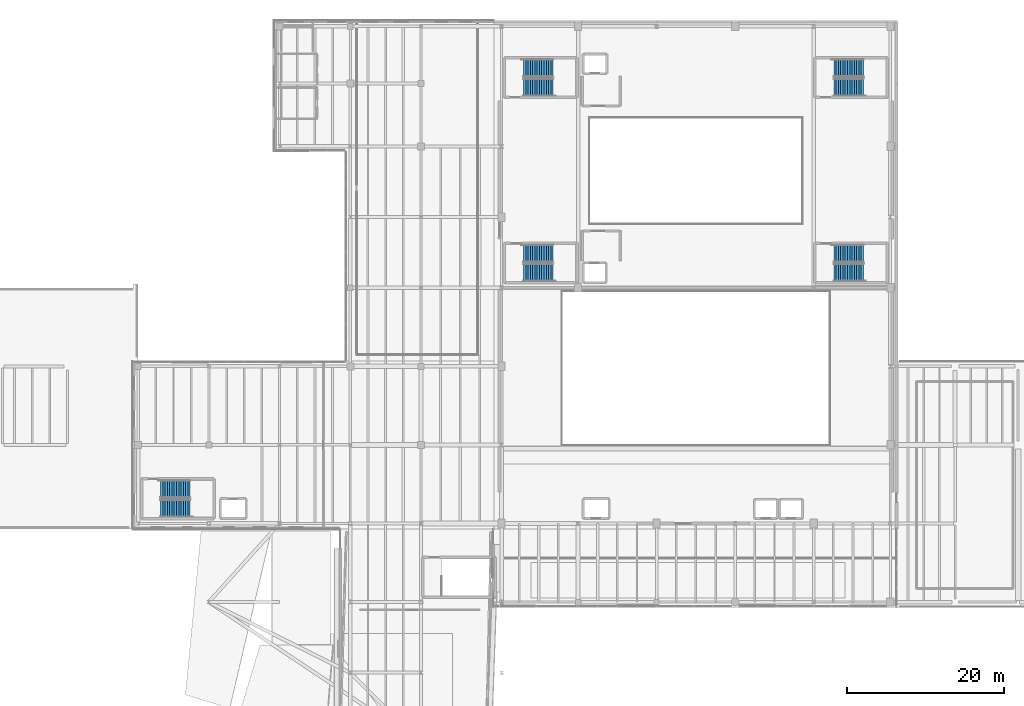
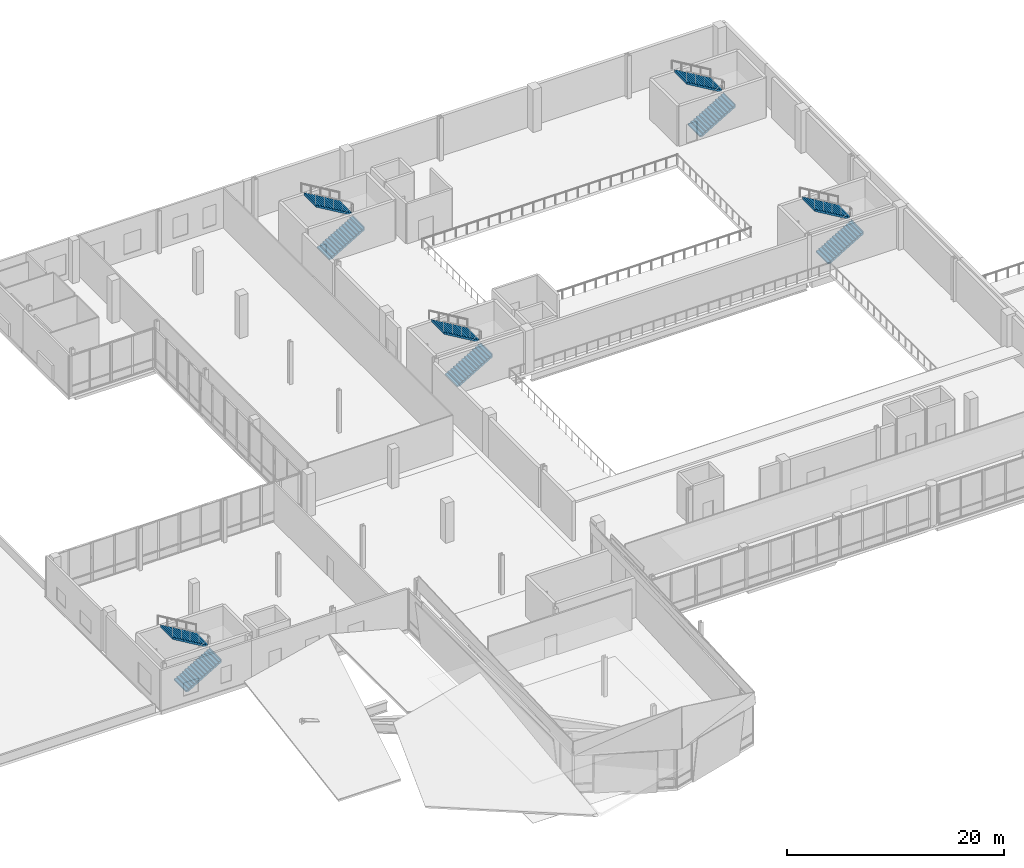
# One storey, part 33 of 41: 10 stair flights, 5 elements without a shape of their own.
"""IFC4 building model written with IfcOpenShell, lengths in metres."""

import ifcopenshell
import ifcopenshell.guid

model = None  # the IFC model being written
_history = None  # IfcOwnerHistory: only IFC2X3 demands one
_inside = {}  # id of a spatial element -> (the spatial element, [elements in it])
_under = {}  # id of a project, library or spatial element -> (it, [spatial elements below it])
_declared = {}  # id of a project -> (the project, [libraries it declares])
_typed = {}  # id of a type object -> (the type object, [elements of that type])
_made_of = {}  # id of a material, layer set ... -> (it, [elements and type objects made of it])


def new_model(schema):
    """Start an empty IFC model of exactly this schema.

    Asked for "IFC4X3", IfcOpenShell would pick the latest addendum, in which some entities
    have other attributes; the version numbers below select the first issue.
    IFC2X3 requires an IfcOwnerHistory on every rooted entity: one is made here for all.
    """
    global model, _history
    if schema == "IFC4X3":
        model = ifcopenshell.file(schema_version=(4, 3, 0, 0))
    else:
        model = ifcopenshell.file(schema=schema)
    _inside.clear()
    _under.clear()
    _declared.clear()
    _typed.clear()
    _made_of.clear()
    _history = None
    if model.schema == "IFC2X3":
        org = make("IfcOrganization", Name="unknown")
        user = make(
            "IfcPersonAndOrganization",
            ThePerson=make("IfcPerson", FamilyName="unknown"),
            TheOrganization=org,
        )
        app = make(
            "IfcApplication",
            ApplicationDeveloper=org,
            Version="unknown",
            ApplicationFullName="unknown",
            ApplicationIdentifier="unknown",
        )
        _history = make(
            "IfcOwnerHistory",
            OwningUser=user,
            OwningApplication=app,
            ChangeAction="ADDED",
            CreationDate=0,
        )
    return model


def make(cls, **values):
    """One entity of the class cls with the attributes given. An attribute that is None is left unset."""
    return model.create_entity(
        cls, **{name: value for name, value in values.items() if value is not None}
    )


def rooted(cls, **values):
    """An entity with a GlobalId (a new one), such as an element, a storey or a relation."""
    return make(cls, GlobalId=ifcopenshell.guid.new(), OwnerHistory=_history, **values)


def si_unit(unit_type, name, prefix=None):
    """IfcSIUnit, for example si_unit("LENGTHUNIT", "METRE", prefix="MILLI")."""
    return make("IfcSIUnit", UnitType=unit_type, Prefix=prefix, Name=name)


def assignment(units):
    """IfcUnitAssignment: the units of a project."""
    return None if units is None else make("IfcUnitAssignment", Units=units)


def point(xyz):
    """IfcCartesianPoint."""
    return None if xyz is None else make("IfcCartesianPoint", Coordinates=xyz)


def direction(xyz):
    """IfcDirection."""
    return None if xyz is None else make("IfcDirection", DirectionRatios=xyz)


def frame(location, z_axis=None, x_axis=None):
    """IfcAxis2Placement3D, a coordinate frame: its origin and axes. An axis left out is left unset."""
    return make(
        "IfcAxis2Placement3D",
        Location=point(location),
        Axis=direction(z_axis),
        RefDirection=direction(x_axis),
    )


def origin():
    """The frame at (0, 0, 0) with its axes left unset."""
    return frame((0.0, 0.0, 0.0))


def place(relative_to, where):
    """IfcLocalPlacement: puts the frame where relative to a parent placement (None: the world)."""
    return make(
        "IfcLocalPlacement", PlacementRelTo=relative_to, RelativePlacement=where
    )


def context(
    kind, dimensions, precision=None, world=None, true_north=None, identifier=None
):
    """IfcGeometricRepresentationContext, for example the 3D "Model" context."""
    return make(
        "IfcGeometricRepresentationContext",
        ContextIdentifier=identifier,
        ContextType=kind,
        CoordinateSpaceDimension=dimensions,
        Precision=precision,
        WorldCoordinateSystem=world,
        TrueNorth=true_north,
    )


def subcontext(parent, identifier, kind, view, scale=None):
    """IfcGeometricRepresentationSubContext, for example "Body" below "Model"."""
    return make(
        "IfcGeometricRepresentationSubContext",
        ContextIdentifier=identifier,
        ContextType=kind,
        ParentContext=parent,
        TargetScale=scale,
        TargetView=view,
    )


def project(units=None, contexts=None):
    """IfcProject with its units and contexts."""
    return rooted(
        "IfcProject",
        Name="project",
        RepresentationContexts=contexts,
        UnitsInContext=assignment(units),
    )


def spatial(cls, under=None, at=None, **own):
    """A site, building, storey or space (cls), placed at a placement, below another one or the project."""
    s = rooted(cls, ObjectPlacement=at, **own)
    if under is not None:
        _under.setdefault(under.id(), (under, []))[1].append(s)
    return s


def polyline(points):
    """IfcPolyline through the points."""
    return make("IfcPolyline", Points=[point(p) for p in points])


def outline(outer, holes=None, kind="AREA"):
    """IfcArbitraryClosedProfileDef: a profile drawn as a closed curve; with holes, ...WithVoids."""
    if holes is None:
        return make("IfcArbitraryClosedProfileDef", ProfileType=kind, OuterCurve=outer)
    return make(
        "IfcArbitraryProfileDefWithVoids",
        ProfileType=kind,
        OuterCurve=outer,
        InnerCurves=holes,
    )


def extrude(swept, where, along, depth):
    """IfcExtrudedAreaSolid: the profile swept, set in the frame where, extruded along a direction by depth."""
    return make(
        "IfcExtrudedAreaSolid",
        SweptArea=swept,
        Position=where,
        ExtrudedDirection=direction(along),
        Depth=depth,
    )


def shape(context_of_items, identifier, shape_type, items):
    """IfcShapeRepresentation: the items that make up one representation, for example the "Body"."""
    return make(
        "IfcShapeRepresentation",
        ContextOfItems=context_of_items,
        RepresentationIdentifier=identifier,
        RepresentationType=shape_type,
        Items=items,
    )


def material(Name=None, Category=None):
    """IfcMaterial."""
    return make("IfcMaterial", Name=Name, Category=Category)


def made_of(thing, what):
    """Note that an element or type object is made of a material, layer set ...; save() writes the relation."""
    if what is not None:
        _made_of.setdefault(what.id(), (what, []))[1].append(thing)
    return thing


def type_object(cls, material=None, **own):
    """A type object (cls), such as IfcWallType, which elements share."""
    return made_of(rooted(cls, **own), material)


def element(
    cls,
    number,
    at=None,
    inside=None,
    cuts=None,
    type_object=None,
    material=None,
    context=None,
    identifier="Body",
    shape_type=None,
    held_by="IfcProductDefinitionShape",
    body=None,
    shapes=None,
    **own,
):
    """One element of the class cls, such as IfcWall. Its Tag is "e" and its number.

    at: its placement. inside: the storey or other place that contains it. cuts: it is an
    opening in that element (IfcRelVoidsElement). A single representation is given by context,
    identifier, shape_type and body (its items); several are given by shapes. held_by: the class
    of the entity that holds the representations. save() writes the other relations.
    """
    e = rooted(cls, Tag="e%d" % number, ObjectPlacement=at, **own)
    if body is not None:
        shapes = [shape(context, identifier, shape_type, body)]
    if shapes is not None:
        e.Representation = make(held_by, Representations=shapes)
    if inside is not None:
        _inside.setdefault(inside.id(), (inside, []))[1].append(e)
    if cuts is not None:
        rooted(
            "IfcRelVoidsElement", RelatingBuildingElement=cuts, RelatedOpeningElement=e
        )
    if type_object is not None:
        _typed.setdefault(type_object.id(), (type_object, []))[1].append(e)
    return made_of(e, material)


def aggregate(whole, parts):
    """IfcRelAggregates: a whole, such as a stair, and the parts it consists of."""
    return rooted("IfcRelAggregates", RelatingObject=whole, RelatedObjects=parts)


def save(model, path):
    """Write the relations noted so far, then the file.

    IfcRelAggregates (storeys below a building ...), IfcRelContainedInSpatialStructure (elements
    in a storey), IfcRelDefinesByType, IfcRelAssociatesMaterial and IfcRelDeclares: one each for
    every whole, place, type object, material and project.
    """
    for whole, parts in _under.values():
        aggregate(whole, parts)
    for where, things in _inside.values():
        rooted(
            "IfcRelContainedInSpatialStructure",
            RelatedElements=things,
            RelatingStructure=where,
        )
    for kind, things in _typed.values():
        rooted("IfcRelDefinesByType", RelatedObjects=things, RelatingType=kind)
    for what, things in _made_of.values():
        rooted("IfcRelAssociatesMaterial", RelatedObjects=things, RelatingMaterial=what)
    for by, libraries in _declared.values():
        rooted("IfcRelDeclares", RelatingContext=by, RelatedDefinitions=libraries)
    model.write(path)


model = new_model("IFC4")

# Units and contexts
model_context = context("Model", 3, precision=1e-05, world=origin(), true_north=direction((0.0, 1.0)))
body_context = subcontext(model_context, "Body", "Model", "MODEL_VIEW")
ifc_project = project(units=[si_unit("LENGTHUNIT", "METRE"), si_unit("AREAUNIT", "SQUARE_METRE"), si_unit("VOLUMEUNIT", "CUBIC_METRE"), si_unit("PLANEANGLEUNIT", "RADIAN"), si_unit("MASSUNIT", "GRAM", prefix="KILO")], contexts=[model_context])

# Site, building, storey
site_placement = place(None, origin())
site = spatial("IfcSite", under=ifc_project, at=site_placement, CompositionType="ELEMENT")
building_placement = place(site_placement, origin())
building = spatial("IfcBuilding", under=site, at=building_placement, Name="Trimount Lyric Opera House", CompositionType="ELEMENT")
storey_placement = place(building_placement, frame((0.0, 0.0, 20.0)))
storey = spatial("IfcBuildingStorey", under=building, at=storey_placement, Name="L04", CompositionType="ELEMENT", Elevation=20.0)

# Stair, stair flights
ifc_material_1 = material(Name="Concrete C40/50", Category="concrete")
stair_type = type_object("IfcStairType", Name="STR-CORE-B", PredefinedType="TWO_QUARTER_TURN_STAIR", material=ifc_material_1)
stair_1_placement = place(storey_placement, origin())
stair_1 = element("IfcStair", 1, at=stair_1_placement, inside=storey, type_object=stair_type, Name="L04 Exit Stair ST-01", PredefinedType="TWO_QUARTER_TURN_STAIR")
ifc_material_2 = material(Name="Concrete C40/50", Category="concrete")
stair_flight_type = type_object("IfcStairFlightType", Name="SFL-CORE-A", PredefinedType="STRAIGHT", material=ifc_material_2)
stair_flight_1_placement = place(storey_placement, frame((67.050048828125, 109.52490234375, 0.0), z_axis=(0.0, 0.0, 1.0), x_axis=(1.0, 0.0, 0.0)))
stair_flight_1 = element("IfcStairFlight", 2, at=stair_flight_1_placement, type_object=stair_flight_type, Name="ST-01 flight 1", NumberOfRisers=14, NumberOfTreads=13, PredefinedType="STRAIGHT", RiserHeight=0.171428571, TreadLength=0.29, context=body_context, shape_type="SweptSolid", body=[
    extrude(outline(polyline([(0.0, 0.0), (0.0, 0.17138671875), (0.2900390625, 0.17138671875), (0.2900390625, 0.3427734375), (0.580078125, 0.3427734375), (0.580078125, 0.514404296875), (0.8701171875, 0.514404296875), (0.8701171875, 0.685791015625), (1.159912109375, 0.685791015625), (1.159912109375, 0.857177734375), (1.449951171875, 0.857177734375), (1.449951171875, 1.028564453125), (1.739990234375, 1.028564453125), (1.739990234375, 1.199951171875), (2.030029296875, 1.199951171875), (2.030029296875, 1.371337890625), (2.320068359375, 1.371337890625), (2.320068359375, 1.54296875), (2.610107421875, 1.54296875), (2.610107421875, 1.71435546875), (2.89990234375, 1.71435546875), (2.89990234375, 1.8857421875), (3.18994140625, 1.8857421875), (3.18994140625, 2.05712890625), (3.47998046875, 2.05712890625), (3.47998046875, 2.228515625), (3.75390625, 2.228515625), (3.77001953125, 2.39990234375), (3.77001953125, 2.054443359375), (0.294677734375, 0.0), (0.0, 0.0)])), frame((0.0, 1.125, 0.0), z_axis=(0.0, -1.0, 0.0), x_axis=(1.0, 0.0, 0.0)), (0.0, 0.0, 1.0), 2.25),
])
stair_flight_2_placement = place(storey_placement, frame((70.820068359375, 111.97509765625, 2.39990234375), z_axis=(0.0, 0.0, 1.0), x_axis=(-1.0, 0.0, 0.0)))
stair_flight_2 = element("IfcStairFlight", 3, at=stair_flight_2_placement, type_object=stair_flight_type, Name="ST-01 flight 2", NumberOfRisers=14, NumberOfTreads=13, PredefinedType="STRAIGHT", RiserHeight=0.171428571, TreadLength=0.29, context=body_context, shape_type="SweptSolid", body=[
    extrude(outline(polyline([(0.0, 0.0), (0.0, 0.17138671875), (0.2900390625, 0.17138671875), (0.2900390625, 0.3427734375), (0.580078125, 0.3427734375), (0.580078125, 0.514404296875), (0.8701171875, 0.514404296875), (0.8701171875, 0.685791015625), (1.159912109375, 0.685791015625), (1.159912109375, 0.857177734375), (1.449951171875, 0.857177734375), (1.449951171875, 1.028564453125), (1.739990234375, 1.028564453125), (1.739990234375, 1.199951171875), (2.030029296875, 1.199951171875), (2.030029296875, 1.371337890625), (2.320068359375, 1.371337890625), (2.320068359375, 1.54296875), (2.610107421875, 1.54296875), (2.610107421875, 1.71435546875), (2.89990234375, 1.71435546875), (2.89990234375, 1.8857421875), (3.18994140625, 1.8857421875), (3.18994140625, 2.05712890625), (3.47998046875, 2.05712890625), (3.47998046875, 2.228515625), (3.75390625, 2.228515625), (3.77001953125, 2.39990234375), (3.77001953125, 2.054443359375), (0.294677734375, 0.0), (0.0, 0.0)])), frame((0.0, 1.125, 0.0), z_axis=(0.0, -1.0, 0.0), x_axis=(1.0, 0.0, 0.0)), (0.0, 0.0, 1.0), 2.25),
])
aggregate(stair_1, [stair_flight_1, stair_flight_2])

stair_2_placement = place(storey_placement, origin())
stair_2 = element("IfcStair", 4, at=stair_2_placement, inside=storey, type_object=stair_type, Name="L04 Exit Stair ST-02", PredefinedType="TWO_QUARTER_TURN_STAIR")
stair_flight_3_placement = place(storey_placement, frame((106.550048828125, 109.52490234375, 0.0), z_axis=(0.0, 0.0, 1.0), x_axis=(1.0, 0.0, 0.0)))
stair_flight_3 = element("IfcStairFlight", 5, at=stair_flight_3_placement, type_object=stair_flight_type, Name="ST-02 flight 1", NumberOfRisers=14, NumberOfTreads=13, PredefinedType="STRAIGHT", RiserHeight=0.171428571, TreadLength=0.29, context=body_context, shape_type="SweptSolid", body=[
    extrude(outline(polyline([(0.0, 0.0), (0.0, 0.17138671875), (0.2900390625, 0.17138671875), (0.2900390625, 0.3427734375), (0.580078125, 0.3427734375), (0.580078125, 0.514404296875), (0.8701171875, 0.514404296875), (0.8701171875, 0.685791015625), (1.159912109375, 0.685791015625), (1.159912109375, 0.857177734375), (1.449951171875, 0.857177734375), (1.449951171875, 1.028564453125), (1.739990234375, 1.028564453125), (1.739990234375, 1.199951171875), (2.030029296875, 1.199951171875), (2.030029296875, 1.371337890625), (2.320068359375, 1.371337890625), (2.320068359375, 1.54296875), (2.610107421875, 1.54296875), (2.610107421875, 1.71435546875), (2.89990234375, 1.71435546875), (2.89990234375, 1.8857421875), (3.18994140625, 1.8857421875), (3.18994140625, 2.05712890625), (3.47998046875, 2.05712890625), (3.47998046875, 2.228515625), (3.75390625, 2.228515625), (3.77001953125, 2.39990234375), (3.77001953125, 2.054443359375), (0.294677734375, 0.0), (0.0, 0.0)])), frame((0.0, 1.125, 0.0), z_axis=(0.0, -1.0, 0.0), x_axis=(1.0, 0.0, 0.0)), (0.0, 0.0, 1.0), 2.25),
])
stair_flight_4_placement = place(storey_placement, frame((110.320068359375, 111.97509765625, 2.39990234375), z_axis=(0.0, 0.0, 1.0), x_axis=(-1.0, 0.0, 0.0)))
stair_flight_4 = element("IfcStairFlight", 6, at=stair_flight_4_placement, type_object=stair_flight_type, Name="ST-02 flight 2", NumberOfRisers=14, NumberOfTreads=13, PredefinedType="STRAIGHT", RiserHeight=0.171428571, TreadLength=0.29, context=body_context, shape_type="SweptSolid", body=[
    extrude(outline(polyline([(0.0, 0.0), (0.0, 0.17138671875), (0.2900390625, 0.17138671875), (0.2900390625, 0.3427734375), (0.580078125, 0.3427734375), (0.580078125, 0.514404296875), (0.8701171875, 0.514404296875), (0.8701171875, 0.685791015625), (1.159912109375, 0.685791015625), (1.159912109375, 0.857177734375), (1.449951171875, 0.857177734375), (1.449951171875, 1.028564453125), (1.739990234375, 1.028564453125), (1.739990234375, 1.199951171875), (2.030029296875, 1.199951171875), (2.030029296875, 1.371337890625), (2.320068359375, 1.371337890625), (2.320068359375, 1.54296875), (2.610107421875, 1.54296875), (2.610107421875, 1.71435546875), (2.89990234375, 1.71435546875), (2.89990234375, 1.8857421875), (3.18994140625, 1.8857421875), (3.18994140625, 2.05712890625), (3.47998046875, 2.05712890625), (3.47998046875, 2.228515625), (3.75390625, 2.228515625), (3.77001953125, 2.39990234375), (3.77001953125, 2.054443359375), (0.294677734375, 0.0), (0.0, 0.0)])), frame((0.0, 1.125, 0.0), z_axis=(0.0, -1.0, 0.0), x_axis=(1.0, 0.0, 0.0)), (0.0, 0.0, 1.0), 2.25),
])
aggregate(stair_2, [stair_flight_3, stair_flight_4])

stair_3_placement = place(storey_placement, origin())
stair_3 = element("IfcStair", 7, at=stair_3_placement, inside=storey, type_object=stair_type, Name="L04 Exit Stair ST-03", PredefinedType="TWO_QUARTER_TURN_STAIR")
stair_flight_5_placement = place(storey_placement, frame((67.050048828125, 85.925048828125, 0.0), z_axis=(0.0, 0.0, 1.0), x_axis=(1.0, 0.0, 0.0)))
stair_flight_5 = element("IfcStairFlight", 8, at=stair_flight_5_placement, type_object=stair_flight_type, Name="ST-03 flight 1", NumberOfRisers=14, NumberOfTreads=13, PredefinedType="STRAIGHT", RiserHeight=0.171428571, TreadLength=0.29, context=body_context, shape_type="SweptSolid", body=[
    extrude(outline(polyline([(0.0, 0.0), (0.0, 0.17138671875), (0.2900390625, 0.17138671875), (0.2900390625, 0.3427734375), (0.580078125, 0.3427734375), (0.580078125, 0.514404296875), (0.8701171875, 0.514404296875), (0.8701171875, 0.685791015625), (1.159912109375, 0.685791015625), (1.159912109375, 0.857177734375), (1.449951171875, 0.857177734375), (1.449951171875, 1.028564453125), (1.739990234375, 1.028564453125), (1.739990234375, 1.199951171875), (2.030029296875, 1.199951171875), (2.030029296875, 1.371337890625), (2.320068359375, 1.371337890625), (2.320068359375, 1.54296875), (2.610107421875, 1.54296875), (2.610107421875, 1.71435546875), (2.89990234375, 1.71435546875), (2.89990234375, 1.8857421875), (3.18994140625, 1.8857421875), (3.18994140625, 2.05712890625), (3.47998046875, 2.05712890625), (3.47998046875, 2.228515625), (3.75390625, 2.228515625), (3.77001953125, 2.39990234375), (3.77001953125, 2.054443359375), (0.294677734375, 0.0), (0.0, 0.0)])), frame((0.0, 1.125, 0.0), z_axis=(0.0, -1.0, 0.0), x_axis=(1.0, 0.0, 0.0)), (0.0, 0.0, 1.0), 2.25),
])
stair_flight_6_placement = place(storey_placement, frame((70.820068359375, 88.375, 2.39990234375), z_axis=(0.0, 0.0, 1.0), x_axis=(-1.0, 0.0, 0.0)))
stair_flight_6 = element("IfcStairFlight", 9, at=stair_flight_6_placement, type_object=stair_flight_type, Name="ST-03 flight 2", NumberOfRisers=14, NumberOfTreads=13, PredefinedType="STRAIGHT", RiserHeight=0.171428571, TreadLength=0.29, context=body_context, shape_type="SweptSolid", body=[
    extrude(outline(polyline([(0.0, 0.0), (0.0, 0.17138671875), (0.2900390625, 0.17138671875), (0.2900390625, 0.3427734375), (0.580078125, 0.3427734375), (0.580078125, 0.514404296875), (0.8701171875, 0.514404296875), (0.8701171875, 0.685791015625), (1.159912109375, 0.685791015625), (1.159912109375, 0.857177734375), (1.449951171875, 0.857177734375), (1.449951171875, 1.028564453125), (1.739990234375, 1.028564453125), (1.739990234375, 1.199951171875), (2.030029296875, 1.199951171875), (2.030029296875, 1.371337890625), (2.320068359375, 1.371337890625), (2.320068359375, 1.54296875), (2.610107421875, 1.54296875), (2.610107421875, 1.71435546875), (2.89990234375, 1.71435546875), (2.89990234375, 1.8857421875), (3.18994140625, 1.8857421875), (3.18994140625, 2.05712890625), (3.47998046875, 2.05712890625), (3.47998046875, 2.228515625), (3.75390625, 2.228515625), (3.77001953125, 2.39990234375), (3.77001953125, 2.054443359375), (0.294677734375, 0.0), (0.0, 0.0)])), frame((0.0, 1.125, 0.0), z_axis=(0.0, -1.0, 0.0), x_axis=(1.0, 0.0, 0.0)), (0.0, 0.0, 1.0), 2.25),
])
aggregate(stair_3, [stair_flight_5, stair_flight_6])

stair_4_placement = place(storey_placement, origin())
stair_4 = element("IfcStair", 10, at=stair_4_placement, inside=storey, type_object=stair_type, Name="L04 Exit Stair ST-04", PredefinedType="TWO_QUARTER_TURN_STAIR")
stair_flight_7_placement = place(storey_placement, frame((106.550048828125, 85.925048828125, 0.0), z_axis=(0.0, 0.0, 1.0), x_axis=(1.0, 0.0, 0.0)))
stair_flight_7 = element("IfcStairFlight", 11, at=stair_flight_7_placement, type_object=stair_flight_type, Name="ST-04 flight 1", NumberOfRisers=14, NumberOfTreads=13, PredefinedType="STRAIGHT", RiserHeight=0.171428571, TreadLength=0.29, context=body_context, shape_type="SweptSolid", body=[
    extrude(outline(polyline([(0.0, 0.0), (0.0, 0.17138671875), (0.2900390625, 0.17138671875), (0.2900390625, 0.3427734375), (0.580078125, 0.3427734375), (0.580078125, 0.514404296875), (0.8701171875, 0.514404296875), (0.8701171875, 0.685791015625), (1.159912109375, 0.685791015625), (1.159912109375, 0.857177734375), (1.449951171875, 0.857177734375), (1.449951171875, 1.028564453125), (1.739990234375, 1.028564453125), (1.739990234375, 1.199951171875), (2.030029296875, 1.199951171875), (2.030029296875, 1.371337890625), (2.320068359375, 1.371337890625), (2.320068359375, 1.54296875), (2.610107421875, 1.54296875), (2.610107421875, 1.71435546875), (2.89990234375, 1.71435546875), (2.89990234375, 1.8857421875), (3.18994140625, 1.8857421875), (3.18994140625, 2.05712890625), (3.47998046875, 2.05712890625), (3.47998046875, 2.228515625), (3.75390625, 2.228515625), (3.77001953125, 2.39990234375), (3.77001953125, 2.054443359375), (0.294677734375, 0.0), (0.0, 0.0)])), frame((0.0, 1.125, 0.0), z_axis=(0.0, -1.0, 0.0), x_axis=(1.0, 0.0, 0.0)), (0.0, 0.0, 1.0), 2.25),
])
stair_flight_8_placement = place(storey_placement, frame((110.320068359375, 88.375, 2.39990234375), z_axis=(0.0, 0.0, 1.0), x_axis=(-1.0, 0.0, 0.0)))
stair_flight_8 = element("IfcStairFlight", 12, at=stair_flight_8_placement, type_object=stair_flight_type, Name="ST-04 flight 2", NumberOfRisers=14, NumberOfTreads=13, PredefinedType="STRAIGHT", RiserHeight=0.171428571, TreadLength=0.29, context=body_context, shape_type="SweptSolid", body=[
    extrude(outline(polyline([(0.0, 0.0), (0.0, 0.17138671875), (0.2900390625, 0.17138671875), (0.2900390625, 0.3427734375), (0.580078125, 0.3427734375), (0.580078125, 0.514404296875), (0.8701171875, 0.514404296875), (0.8701171875, 0.685791015625), (1.159912109375, 0.685791015625), (1.159912109375, 0.857177734375), (1.449951171875, 0.857177734375), (1.449951171875, 1.028564453125), (1.739990234375, 1.028564453125), (1.739990234375, 1.199951171875), (2.030029296875, 1.199951171875), (2.030029296875, 1.371337890625), (2.320068359375, 1.371337890625), (2.320068359375, 1.54296875), (2.610107421875, 1.54296875), (2.610107421875, 1.71435546875), (2.89990234375, 1.71435546875), (2.89990234375, 1.8857421875), (3.18994140625, 1.8857421875), (3.18994140625, 2.05712890625), (3.47998046875, 2.05712890625), (3.47998046875, 2.228515625), (3.75390625, 2.228515625), (3.77001953125, 2.39990234375), (3.77001953125, 2.054443359375), (0.294677734375, 0.0), (0.0, 0.0)])), frame((0.0, 1.125, 0.0), z_axis=(0.0, -1.0, 0.0), x_axis=(1.0, 0.0, 0.0)), (0.0, 0.0, 1.0), 2.25),
])
aggregate(stair_4, [stair_flight_7, stair_flight_8])

stair_5_placement = place(storey_placement, origin())
stair_5 = element("IfcStair", 13, at=stair_5_placement, inside=storey, type_object=stair_type, Name="L04 Exit Stair ST-06", PredefinedType="TWO_QUARTER_TURN_STAIR")
stair_flight_9_placement = place(storey_placement, frame((20.85009765625, 55.925048828125, 0.0), z_axis=(0.0, 0.0, 1.0), x_axis=(1.0, 0.0, 0.0)))
stair_flight_9 = element("IfcStairFlight", 14, at=stair_flight_9_placement, type_object=stair_flight_type, Name="ST-06 flight 1", NumberOfRisers=14, NumberOfTreads=13, PredefinedType="STRAIGHT", RiserHeight=0.171428571, TreadLength=0.29, context=body_context, shape_type="SweptSolid", body=[
    extrude(outline(polyline([(0.0, 0.0), (0.0, 0.17138671875), (0.2900390625, 0.17138671875), (0.2900390625, 0.3427734375), (0.580078125, 0.3427734375), (0.580078125, 0.514404296875), (0.8701171875, 0.514404296875), (0.8701171875, 0.685791015625), (1.159912109375, 0.685791015625), (1.159912109375, 0.857177734375), (1.449951171875, 0.857177734375), (1.449951171875, 1.028564453125), (1.739990234375, 1.028564453125), (1.739990234375, 1.199951171875), (2.030029296875, 1.199951171875), (2.030029296875, 1.371337890625), (2.320068359375, 1.371337890625), (2.320068359375, 1.54296875), (2.610107421875, 1.54296875), (2.610107421875, 1.71435546875), (2.89990234375, 1.71435546875), (2.89990234375, 1.8857421875), (3.18994140625, 1.8857421875), (3.18994140625, 2.05712890625), (3.47998046875, 2.05712890625), (3.47998046875, 2.228515625), (3.75390625, 2.228515625), (3.77001953125, 2.39990234375), (3.77001953125, 2.054443359375), (0.294677734375, 0.0), (0.0, 0.0)])), frame((0.0, 1.125, 0.0), z_axis=(0.0, -1.0, 0.0), x_axis=(1.0, 0.0, 0.0)), (0.0, 0.0, 1.0), 2.25),
])
stair_flight_10_placement = place(storey_placement, frame((24.6201171875, 58.375, 2.39990234375), z_axis=(0.0, 0.0, 1.0), x_axis=(-1.0, 0.0, 0.0)))
stair_flight_10 = element("IfcStairFlight", 15, at=stair_flight_10_placement, type_object=stair_flight_type, Name="ST-06 flight 2", NumberOfRisers=14, NumberOfTreads=13, PredefinedType="STRAIGHT", RiserHeight=0.171428571, TreadLength=0.29, context=body_context, shape_type="SweptSolid", body=[
    extrude(outline(polyline([(0.0, 0.0), (0.0, 0.17138671875), (0.2900390625, 0.17138671875), (0.2900390625, 0.3427734375), (0.580078125, 0.3427734375), (0.580078125, 0.514404296875), (0.8701171875, 0.514404296875), (0.8701171875, 0.685791015625), (1.159912109375, 0.685791015625), (1.159912109375, 0.857177734375), (1.449951171875, 0.857177734375), (1.449951171875, 1.028564453125), (1.739990234375, 1.028564453125), (1.739990234375, 1.199951171875), (2.030029296875, 1.199951171875), (2.030029296875, 1.371337890625), (2.320068359375, 1.371337890625), (2.320068359375, 1.54296875), (2.610107421875, 1.54296875), (2.610107421875, 1.71435546875), (2.89990234375, 1.71435546875), (2.89990234375, 1.8857421875), (3.18994140625, 1.8857421875), (3.18994140625, 2.05712890625), (3.47998046875, 2.05712890625), (3.47998046875, 2.228515625), (3.75390625, 2.228515625), (3.77001953125, 2.39990234375), (3.77001953125, 2.054443359375), (0.294677734375, 0.0), (0.0, 0.0)])), frame((0.0, 1.125, 0.0), z_axis=(0.0, -1.0, 0.0), x_axis=(1.0, 0.0, 0.0)), (0.0, 0.0, 1.0), 2.25),
])
aggregate(stair_5, [stair_flight_9, stair_flight_10])

save(model, "model.ifc")
